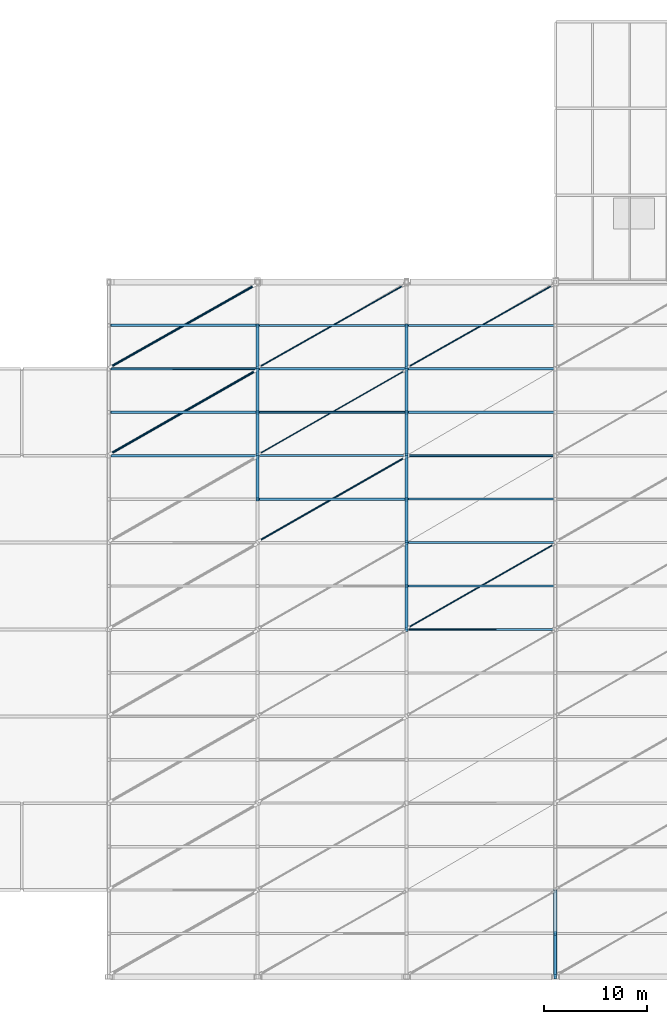
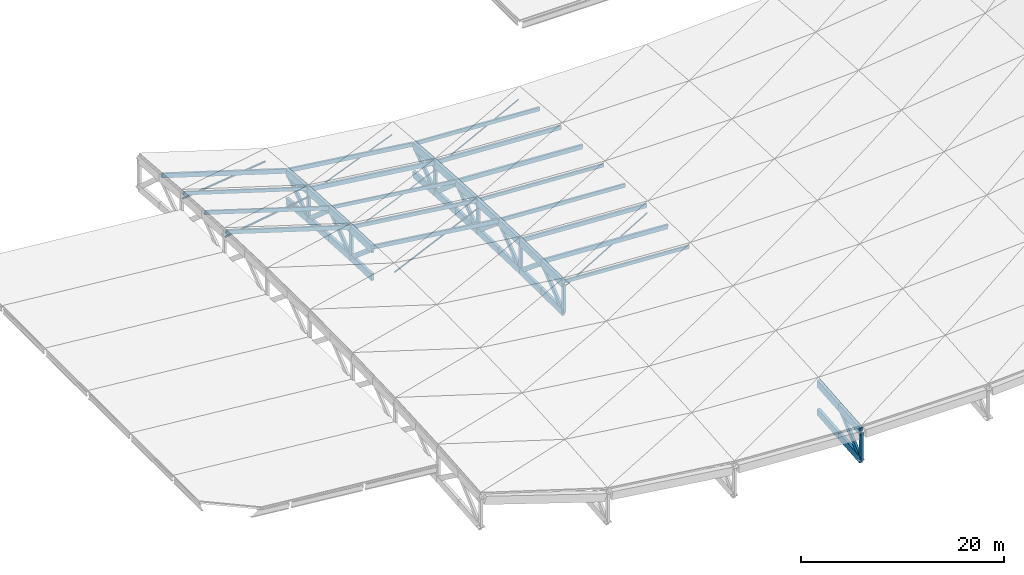
# One storey, part 4 of 22: 43 members, 26 beams.
"""IFC4 building model written with IfcOpenShell, lengths in metres."""

import ifcopenshell
import ifcopenshell.guid

model = None  # the IFC model being written
_history = None  # IfcOwnerHistory: only IFC2X3 demands one
_inside = {}  # id of a spatial element -> (the spatial element, [elements in it])
_under = {}  # id of a project, library or spatial element -> (it, [spatial elements below it])
_declared = {}  # id of a project -> (the project, [libraries it declares])
_typed = {}  # id of a type object -> (the type object, [elements of that type])
_made_of = {}  # id of a material, layer set ... -> (it, [elements and type objects made of it])


def new_model(schema):
    """Start an empty IFC model of exactly this schema.

    Asked for "IFC4X3", IfcOpenShell would pick the latest addendum, in which some entities
    have other attributes; the version numbers below select the first issue.
    IFC2X3 requires an IfcOwnerHistory on every rooted entity: one is made here for all.
    """
    global model, _history
    if schema == "IFC4X3":
        model = ifcopenshell.file(schema_version=(4, 3, 0, 0))
    else:
        model = ifcopenshell.file(schema=schema)
    _inside.clear()
    _under.clear()
    _declared.clear()
    _typed.clear()
    _made_of.clear()
    _history = None
    if model.schema == "IFC2X3":
        org = make("IfcOrganization", Name="unknown")
        user = make(
            "IfcPersonAndOrganization",
            ThePerson=make("IfcPerson", FamilyName="unknown"),
            TheOrganization=org,
        )
        app = make(
            "IfcApplication",
            ApplicationDeveloper=org,
            Version="unknown",
            ApplicationFullName="unknown",
            ApplicationIdentifier="unknown",
        )
        _history = make(
            "IfcOwnerHistory",
            OwningUser=user,
            OwningApplication=app,
            ChangeAction="ADDED",
            CreationDate=0,
        )
    return model


def make(cls, **values):
    """One entity of the class cls with the attributes given. An attribute that is None is left unset."""
    return model.create_entity(
        cls, **{name: value for name, value in values.items() if value is not None}
    )


def rooted(cls, **values):
    """An entity with a GlobalId (a new one), such as an element, a storey or a relation."""
    return make(cls, GlobalId=ifcopenshell.guid.new(), OwnerHistory=_history, **values)


def si_unit(unit_type, name, prefix=None):
    """IfcSIUnit, for example si_unit("LENGTHUNIT", "METRE", prefix="MILLI")."""
    return make("IfcSIUnit", UnitType=unit_type, Prefix=prefix, Name=name)


def assignment(units):
    """IfcUnitAssignment: the units of a project."""
    return None if units is None else make("IfcUnitAssignment", Units=units)


def point(xyz):
    """IfcCartesianPoint."""
    return None if xyz is None else make("IfcCartesianPoint", Coordinates=xyz)


def direction(xyz):
    """IfcDirection."""
    return None if xyz is None else make("IfcDirection", DirectionRatios=xyz)


def frame(location, z_axis=None, x_axis=None):
    """IfcAxis2Placement3D, a coordinate frame: its origin and axes. An axis left out is left unset."""
    return make(
        "IfcAxis2Placement3D",
        Location=point(location),
        Axis=direction(z_axis),
        RefDirection=direction(x_axis),
    )


def frame_2d(location, x_axis=None):
    """IfcAxis2Placement2D, a coordinate frame in the plane: its origin and x axis."""
    return make(
        "IfcAxis2Placement2D", Location=point(location), RefDirection=direction(x_axis)
    )


def origin():
    """The frame at (0, 0, 0) with its axes left unset."""
    return frame((0.0, 0.0, 0.0))


def origin_2d():
    """The frame at (0, 0) in the plane with its x axis left unset."""
    return frame_2d((0.0, 0.0))


def place(relative_to, where):
    """IfcLocalPlacement: puts the frame where relative to a parent placement (None: the world)."""
    return make(
        "IfcLocalPlacement", PlacementRelTo=relative_to, RelativePlacement=where
    )


def context(
    kind, dimensions, precision=None, world=None, true_north=None, identifier=None
):
    """IfcGeometricRepresentationContext, for example the 3D "Model" context."""
    return make(
        "IfcGeometricRepresentationContext",
        ContextIdentifier=identifier,
        ContextType=kind,
        CoordinateSpaceDimension=dimensions,
        Precision=precision,
        WorldCoordinateSystem=world,
        TrueNorth=true_north,
    )


def subcontext(parent, identifier, kind, view, scale=None):
    """IfcGeometricRepresentationSubContext, for example "Body" below "Model"."""
    return make(
        "IfcGeometricRepresentationSubContext",
        ContextIdentifier=identifier,
        ContextType=kind,
        ParentContext=parent,
        TargetScale=scale,
        TargetView=view,
    )


def project(units=None, contexts=None):
    """IfcProject with its units and contexts."""
    return rooted(
        "IfcProject",
        Name="project",
        RepresentationContexts=contexts,
        UnitsInContext=assignment(units),
    )


def spatial(cls, under=None, at=None, **own):
    """A site, building, storey or space (cls), placed at a placement, below another one or the project."""
    s = rooted(cls, ObjectPlacement=at, **own)
    if under is not None:
        _under.setdefault(under.id(), (under, []))[1].append(s)
    return s


def profile(cls, at=None, kind="AREA", **sizes):
    """A parametric profile (cls). Its sizes go by their IFC names, for example OverallWidth=200.0."""
    return make(cls, ProfileType=kind, Position=at, **sizes)


def rectangle(**sizes):
    """IfcRectangleProfileDef."""
    return profile("IfcRectangleProfileDef", **sizes)


def hollow_circle(**sizes):
    """IfcCircleHollowProfileDef."""
    return profile("IfcCircleHollowProfileDef", **sizes)


def extrude(swept, where, along, depth):
    """IfcExtrudedAreaSolid: the profile swept, set in the frame where, extruded along a direction by depth."""
    return make(
        "IfcExtrudedAreaSolid",
        SweptArea=swept,
        Position=where,
        ExtrudedDirection=direction(along),
        Depth=depth,
    )


def shape(context_of_items, identifier, shape_type, items):
    """IfcShapeRepresentation: the items that make up one representation, for example the "Body"."""
    return make(
        "IfcShapeRepresentation",
        ContextOfItems=context_of_items,
        RepresentationIdentifier=identifier,
        RepresentationType=shape_type,
        Items=items,
    )


def material(Name=None, Category=None):
    """IfcMaterial."""
    return make("IfcMaterial", Name=Name, Category=Category)


def material_profile(
    of_material, cross_section, Name=None, Category=None, Priority=None
):
    """IfcMaterialProfile: a cross section and its material."""
    return make(
        "IfcMaterialProfile",
        Name=Name,
        Material=of_material,
        Profile=cross_section,
        Priority=Priority,
        Category=Category,
    )


def profile_set(profiles, Name=None, composite=None):
    """IfcMaterialProfileSet."""
    return make(
        "IfcMaterialProfileSet",
        Name=Name,
        MaterialProfiles=profiles,
        CompositeProfile=composite,
    )


def made_of(thing, what):
    """Note that an element or type object is made of a material, layer set ...; save() writes the relation."""
    if what is not None:
        _made_of.setdefault(what.id(), (what, []))[1].append(thing)
    return thing


def type_object(cls, material=None, **own):
    """A type object (cls), such as IfcWallType, which elements share."""
    return made_of(rooted(cls, **own), material)


def element(
    cls,
    number,
    at=None,
    inside=None,
    cuts=None,
    type_object=None,
    material=None,
    context=None,
    identifier="Body",
    shape_type=None,
    held_by="IfcProductDefinitionShape",
    body=None,
    shapes=None,
    **own,
):
    """One element of the class cls, such as IfcWall. Its Tag is "e" and its number.

    at: its placement. inside: the storey or other place that contains it. cuts: it is an
    opening in that element (IfcRelVoidsElement). A single representation is given by context,
    identifier, shape_type and body (its items); several are given by shapes. held_by: the class
    of the entity that holds the representations. save() writes the other relations.
    """
    e = rooted(cls, Tag="e%d" % number, ObjectPlacement=at, **own)
    if body is not None:
        shapes = [shape(context, identifier, shape_type, body)]
    if shapes is not None:
        e.Representation = make(held_by, Representations=shapes)
    if inside is not None:
        _inside.setdefault(inside.id(), (inside, []))[1].append(e)
    if cuts is not None:
        rooted(
            "IfcRelVoidsElement", RelatingBuildingElement=cuts, RelatedOpeningElement=e
        )
    if type_object is not None:
        _typed.setdefault(type_object.id(), (type_object, []))[1].append(e)
    return made_of(e, material)


def aggregate(whole, parts):
    """IfcRelAggregates: a whole, such as a stair, and the parts it consists of."""
    return rooted("IfcRelAggregates", RelatingObject=whole, RelatedObjects=parts)


def save(model, path):
    """Write the relations noted so far, then the file.

    IfcRelAggregates (storeys below a building ...), IfcRelContainedInSpatialStructure (elements
    in a storey), IfcRelDefinesByType, IfcRelAssociatesMaterial and IfcRelDeclares: one each for
    every whole, place, type object, material and project.
    """
    for whole, parts in _under.values():
        aggregate(whole, parts)
    for where, things in _inside.values():
        rooted(
            "IfcRelContainedInSpatialStructure",
            RelatedElements=things,
            RelatingStructure=where,
        )
    for kind, things in _typed.values():
        rooted("IfcRelDefinesByType", RelatedObjects=things, RelatingType=kind)
    for what, things in _made_of.values():
        rooted("IfcRelAssociatesMaterial", RelatedObjects=things, RelatingMaterial=what)
    for by, libraries in _declared.values():
        rooted("IfcRelDeclares", RelatingContext=by, RelatedDefinitions=libraries)
    model.write(path)


model = new_model("IFC4")

# Units and contexts
model_context = context("Model", 3, precision=1e-05, world=origin(), true_north=direction((0.0, 1.0)))
body_context = subcontext(model_context, "Body", "Model", "MODEL_VIEW")
ifc_project = project(units=[si_unit("LENGTHUNIT", "METRE"), si_unit("AREAUNIT", "SQUARE_METRE"), si_unit("VOLUMEUNIT", "CUBIC_METRE"), si_unit("PLANEANGLEUNIT", "RADIAN"), si_unit("MASSUNIT", "GRAM", prefix="KILO"), si_unit("THERMODYNAMICTEMPERATUREUNIT", "KELVIN")], contexts=[model_context])

# Site, building, storey
site_placement = place(None, origin())
site = spatial("IfcSite", under=ifc_project, at=site_placement, CompositionType="ELEMENT")
building_placement = place(site_placement, origin())
building = spatial("IfcBuilding", under=site, at=building_placement, Name="Nduvali Passage Aquatics Centre", CompositionType="ELEMENT")
storey_placement = place(building_placement, frame((0.0, 0.0, 21.60009765625)))
storey = spatial("IfcBuildingStorey", under=building, at=storey_placement, Name="RF", CompositionType="ELEMENT", Elevation=21.60009765625)

# Beams
ifc_material_1 = material(Name="Glulam GL32c", Category="wood")
ifc_material_profile_1 = material_profile(ifc_material_1, rectangle(XDim=0.320068359375, YDim=0.800048828125, at=origin_2d()), Name="GL32c 320x800")
ifc_profile_set_1 = profile_set([ifc_material_profile_1], Name="Glulam GL32c")
beam_type_1 = type_object("IfcBeamType", Name="STR-BM-GL32-BOT", PredefinedType="BEAM", material=ifc_profile_set_1)
beam_1_placement = place(storey_placement, frame((39.60009765625, 71.39990234375, -7.972900390625), z_axis=(0.0, 0.999363742023, -0.035666666915), x_axis=(-1.0, 0.0, 0.0)))
element("IfcBeam", 1, at=beam_1_placement, inside=storey, type_object=beam_type_1, Name="RF Pool Hall Roof Truss Bottom Chord R2 BC1-1733", PredefinedType="BEAM", context=body_context, shape_type="SweptSolid", body=[
    extrude(rectangle(XDim=0.320068359375, YDim=0.800048828125, at=origin_2d()), origin(), (0.0, 0.0, 1.0), 4.202880859375),
])
for number, where, z_axis, x_axis, name in (
    (2, (39.60009765625, 75.60009765625, -8.122802734375), (0.0, 0.998233110761, -0.059419328339), (-1.0, 0.0, 0.0), "RF Pool Hall Roof Truss Bottom Chord R2 BC1-1735"),
    (3, (39.60009765625, 79.800048828125, -8.372802734375), (0.0, 0.998233110761, -0.059419328339), (-1.0, 0.0, 0.0), "RF Pool Hall Roof Truss Bottom Chord R2 BC1-1737"),
):
    element("IfcBeam", number, at=place(storey_placement, frame(where, z_axis=z_axis, x_axis=x_axis)), inside=storey, type_object=beam_type_1, Name=name, PredefinedType="BEAM", context=body_context, shape_type="SweptSolid", body=[
        extrude(rectangle(XDim=0.320068359375, YDim=0.800048828125, at=origin_2d()), origin(), (0.0, 0.0, 1.0), 4.207275390625),
    ])
beam_2_placement = place(storey_placement, frame((39.60009765625, 84.0, -8.622802734375), z_axis=(0.0, 0.996543760423, -0.083069450238), x_axis=(-1.0, 0.0, 0.0)))
element("IfcBeam", 4, at=beam_2_placement, inside=storey, type_object=beam_type_1, Name="RF Pool Hall Roof Truss Bottom Chord R2 BC1-1739", PredefinedType="BEAM", context=body_context, shape_type="SweptSolid", body=[
    extrude(rectangle(XDim=0.320068359375, YDim=0.800048828125, at=origin_2d()), origin(), (0.0, 0.0, 1.0), 4.214599609375),
])
for number, where, z_axis, x_axis, name in (
    (5, (54.0, 58.800048828125, -9.55859375), (0.0, 0.999929696627, -0.011857563106), (-1.0, 0.0, 0.0), "RF Pool Hall Roof Truss Bottom Chord R3 BC1-1759"),
    (6, (54.0, 63.0, -9.6083984375), (0.0, 0.999929005763, -0.011915680183), (-1.0, 0.0, 0.0), "RF Pool Hall Roof Truss Bottom Chord R3 BC1-1761"),
):
    element("IfcBeam", number, at=place(storey_placement, frame(where, z_axis=z_axis, x_axis=x_axis)), inside=storey, type_object=beam_type_1, Name=name, PredefinedType="BEAM", context=body_context, shape_type="SweptSolid", body=[
        extrude(rectangle(XDim=0.320068359375, YDim=0.800048828125, at=origin_2d()), origin(), (0.0, 0.0, 1.0), 4.2001953125),
    ])
beam_3_placement = place(storey_placement, frame((54.0, 67.199951171875, -9.658447265625), z_axis=(0.0, 0.999361595677, -0.035726755876), x_axis=(-1.0, 0.0, 0.0)))
element("IfcBeam", 7, at=beam_3_placement, inside=storey, type_object=beam_type_1, Name="RF Pool Hall Roof Truss Bottom Chord R3 BC1-1763", PredefinedType="BEAM", context=body_context, shape_type="SweptSolid", body=[
    extrude(rectangle(XDim=0.320068359375, YDim=0.800048828125, at=origin_2d()), origin(), (0.0, 0.0, 1.0), 4.20263671875),
])
beam_4_placement = place(storey_placement, frame((54.0, 71.39990234375, -9.80859375), z_axis=(0.0, 0.999363742023, -0.035666666915), x_axis=(-1.0, 0.0, 0.0)))
element("IfcBeam", 8, at=beam_4_placement, inside=storey, type_object=beam_type_1, Name="RF Pool Hall Roof Truss Bottom Chord R3 BC1-1765", PredefinedType="BEAM", context=body_context, shape_type="SweptSolid", body=[
    extrude(rectangle(XDim=0.320068359375, YDim=0.800048828125, at=origin_2d()), origin(), (0.0, 0.0, 1.0), 4.202880859375),
])
for number, where, z_axis, x_axis, name in (
    (9, (54.0, 75.60009765625, -9.95849609375), (0.0, 0.998233110761, -0.059419328339), (-1.0, 0.0, 0.0), "RF Pool Hall Roof Truss Bottom Chord R3 BC1-1767"),
    (10, (54.0, 79.800048828125, -10.20849609375), (0.0, 0.998233110761, -0.059419328339), (-1.0, 0.0, 0.0), "RF Pool Hall Roof Truss Bottom Chord R3 BC1-1769"),
):
    element("IfcBeam", number, at=place(storey_placement, frame(where, z_axis=z_axis, x_axis=x_axis)), inside=storey, type_object=beam_type_1, Name=name, PredefinedType="BEAM", context=body_context, shape_type="SweptSolid", body=[
        extrude(rectangle(XDim=0.320068359375, YDim=0.800048828125, at=origin_2d()), origin(), (0.0, 0.0, 1.0), 4.207275390625),
    ])
for number, where, z_axis, x_axis, name in (
    (11, (54.0, 84.0, -10.45849609375), (0.0, 0.996543760423, -0.083069450238), (-1.0, 0.0, 0.0), "RF Pool Hall Roof Truss Bottom Chord R3 BC1-1771"),
    (12, (68.39990234375, 25.199951171875, -11.94970703125), (0.0, 0.996543760423, 0.083069450238), (-1.0, 0.0, 0.0), "RF Pool Hall Roof Truss Bottom Chord R4 BC1-1775"),
):
    element("IfcBeam", number, at=place(storey_placement, frame(where, z_axis=z_axis, x_axis=x_axis)), inside=storey, type_object=beam_type_1, Name=name, PredefinedType="BEAM", context=body_context, shape_type="SweptSolid", body=[
        extrude(rectangle(XDim=0.320068359375, YDim=0.800048828125, at=origin_2d()), origin(), (0.0, 0.0, 1.0), 4.214599609375),
    ])
beam_5_placement = place(storey_placement, frame((68.39990234375, 29.39990234375, -11.599609375), z_axis=(0.0, 0.996544160125, 0.083064655058), x_axis=(-1.0, 0.0, 0.0)))
element("IfcBeam", 13, at=beam_5_placement, inside=storey, type_object=beam_type_1, Name="RF Pool Hall Roof Truss Bottom Chord R4 BC1-1777", PredefinedType="BEAM", context=body_context, shape_type="SweptSolid", body=[
    extrude(rectangle(XDim=0.320068359375, YDim=0.800048828125, at=origin_2d()), origin(), (0.0, 0.0, 1.0), 4.21484375),
])
ifc_material_profile_2 = material_profile(ifc_material_1, rectangle(XDim=0.320068359375, YDim=0.89990234375, at=origin_2d()), Name="GL32c 320x900")
ifc_profile_set_2 = profile_set([ifc_material_profile_2], Name="Glulam GL32c")
beam_type_2 = type_object("IfcBeamType", Name="STR-BM-GL32-TOP", PredefinedType="BEAM", material=ifc_profile_set_2)
beam_6_placement = place(storey_placement, frame((39.60009765625, 71.39990234375, -4.57275390625), z_axis=(0.0, 0.99936166982, -0.035724681873), x_axis=(-1.0, 0.0, 0.0)))
element("IfcBeam", 14, at=beam_6_placement, inside=storey, type_object=beam_type_2, Name="RF Pool Hall Roof Truss Top Chord R2 TC1-1732", PredefinedType="BEAM", context=body_context, shape_type="SweptSolid", body=[
    extrude(rectangle(XDim=0.320068359375, YDim=0.89990234375, at=origin_2d()), origin(), (0.0, 0.0, 1.0), 4.202880859375),
])
for number, where, z_axis, x_axis, name in (
    (15, (39.60009765625, 75.60009765625, -4.722900390625), (0.0, 0.998233110761, -0.059419328339), (-1.0, 0.0, 0.0), "RF Pool Hall Roof Truss Top Chord R2 TC1-1734"),
    (16, (39.60009765625, 79.800048828125, -4.972900390625), (0.0, 0.998233110761, -0.059419328339), (-1.0, 0.0, 0.0), "RF Pool Hall Roof Truss Top Chord R2 TC1-1736"),
):
    element("IfcBeam", number, at=place(storey_placement, frame(where, z_axis=z_axis, x_axis=x_axis)), inside=storey, type_object=beam_type_2, Name=name, PredefinedType="BEAM", context=body_context, shape_type="SweptSolid", body=[
        extrude(rectangle(XDim=0.320068359375, YDim=0.89990234375, at=origin_2d()), origin(), (0.0, 0.0, 1.0), 4.207275390625),
    ])
beam_7_placement = place(storey_placement, frame((39.60009765625, 84.0, -5.222900390625), z_axis=(0.0, 0.996548554241, -0.083011921073), x_axis=(-1.0, 0.0, 0.0)))
element("IfcBeam", 17, at=beam_7_placement, inside=storey, type_object=beam_type_2, Name="RF Pool Hall Roof Truss Top Chord R2 TC1-1738", PredefinedType="BEAM", context=body_context, shape_type="SweptSolid", body=[
    extrude(rectangle(XDim=0.320068359375, YDim=0.89990234375, at=origin_2d()), origin(), (0.0, 0.0, 1.0), 4.214599609375),
])
for number, where, z_axis, x_axis, name in (
    (18, (54.0, 58.800048828125, -6.158447265625), (0.0, 0.999929005763, -0.011915680183), (-1.0, 0.0, 0.0), "RF Pool Hall Roof Truss Top Chord R3 TC1-1758"),
    (19, (54.0, 63.0, -6.20849609375), (0.0, 0.999929005763, -0.011915680183), (-1.0, 0.0, 0.0), "RF Pool Hall Roof Truss Top Chord R3 TC1-1760"),
):
    element("IfcBeam", number, at=place(storey_placement, frame(where, z_axis=z_axis, x_axis=x_axis)), inside=storey, type_object=beam_type_2, Name=name, PredefinedType="BEAM", context=body_context, shape_type="SweptSolid", body=[
        extrude(rectangle(XDim=0.320068359375, YDim=0.89990234375, at=origin_2d()), origin(), (0.0, 0.0, 1.0), 4.2001953125),
    ])
beam_8_placement = place(storey_placement, frame((54.0, 67.199951171875, -6.258544921875), z_axis=(0.0, 0.999363668121, -0.035668737559), x_axis=(-1.0, 0.0, 0.0)))
element("IfcBeam", 20, at=beam_8_placement, inside=storey, type_object=beam_type_2, Name="RF Pool Hall Roof Truss Top Chord R3 TC1-1762", PredefinedType="BEAM", context=body_context, shape_type="SweptSolid", body=[
    extrude(rectangle(XDim=0.320068359375, YDim=0.89990234375, at=origin_2d()), origin(), (0.0, 0.0, 1.0), 4.20263671875),
])
beam_9_placement = place(storey_placement, frame((54.0, 71.39990234375, -6.408447265625), z_axis=(0.0, 0.99936166982, -0.035724681873), x_axis=(-1.0, 0.0, 0.0)))
element("IfcBeam", 21, at=beam_9_placement, inside=storey, type_object=beam_type_2, Name="RF Pool Hall Roof Truss Top Chord R3 TC1-1764", PredefinedType="BEAM", context=body_context, shape_type="SweptSolid", body=[
    extrude(rectangle(XDim=0.320068359375, YDim=0.89990234375, at=origin_2d()), origin(), (0.0, 0.0, 1.0), 4.202880859375),
])
for number, where, z_axis, x_axis, name in (
    (22, (54.0, 75.60009765625, -6.55859375), (0.0, 0.998233110761, -0.059419328339), (-1.0, 0.0, 0.0), "RF Pool Hall Roof Truss Top Chord R3 TC1-1766"),
    (23, (54.0, 79.800048828125, -6.80859375), (0.0, 0.998233110761, -0.059419328339), (-1.0, 0.0, 0.0), "RF Pool Hall Roof Truss Top Chord R3 TC1-1768"),
):
    element("IfcBeam", number, at=place(storey_placement, frame(where, z_axis=z_axis, x_axis=x_axis)), inside=storey, type_object=beam_type_2, Name=name, PredefinedType="BEAM", context=body_context, shape_type="SweptSolid", body=[
        extrude(rectangle(XDim=0.320068359375, YDim=0.89990234375, at=origin_2d()), origin(), (0.0, 0.0, 1.0), 4.207275390625),
    ])
for number, where, z_axis, x_axis, name in (
    (24, (54.0, 84.0, -7.05859375), (0.0, 0.996548554241, -0.083011921073), (-1.0, 0.0, 0.0), "RF Pool Hall Roof Truss Top Chord R3 TC1-1770"),
    (25, (68.39990234375, 25.199951171875, -8.549560546875), (0.0, 0.996548554241, 0.083011921073), (-1.0, 0.0, 0.0), "RF Pool Hall Roof Truss Top Chord R4 TC1-1774"),
):
    element("IfcBeam", number, at=place(storey_placement, frame(where, z_axis=z_axis, x_axis=x_axis)), inside=storey, type_object=beam_type_2, Name=name, PredefinedType="BEAM", context=body_context, shape_type="SweptSolid", body=[
        extrude(rectangle(XDim=0.320068359375, YDim=0.89990234375, at=origin_2d()), origin(), (0.0, 0.0, 1.0), 4.214599609375),
    ])
beam_10_placement = place(storey_placement, frame((68.39990234375, 29.39990234375, -8.19970703125), z_axis=(0.0, 0.996544160125, 0.083064655058), x_axis=(-1.0, 0.0, 0.0)))
element("IfcBeam", 26, at=beam_10_placement, inside=storey, type_object=beam_type_2, Name="RF Pool Hall Roof Truss Top Chord R4 TC1-1776", PredefinedType="BEAM", context=body_context, shape_type="SweptSolid", body=[
    extrude(rectangle(XDim=0.320068359375, YDim=0.89990234375, at=origin_2d()), origin(), (0.0, 0.0, 1.0), 4.21484375),
])

# Members
ifc_material_2 = material(Name="Steel S355", Category="steel")
ifc_material_profile_3 = material_profile(ifc_material_2, hollow_circle(Radius=0.05712890625, WallThickness=0.00634765625, at=origin_2d()), Name="CHS 114.3x6.3")
ifc_profile_set_3 = profile_set([ifc_material_profile_3], Name="Steel S355")
member_type_1 = type_object("IfcMemberType", Name="STR-MEM-CHS114", PredefinedType="BRACE", material=ifc_profile_set_3)
member_1_placement = place(storey_placement, frame((39.800048828125, 75.800048828125, -5.30078125), z_axis=(0.859275049652, 0.491014314087, -0.143357359096), x_axis=(-0.496138938357, 0.868243142124, 0.0)))
element("IfcMember", 27, at=member_1_placement, inside=storey, type_object=member_type_1, Name="Pool Hall Roof Wind Brace B2-P7A", PredefinedType="BRACE", context=body_context, shape_type="SweptSolid", body=[
    extrude(hollow_circle(Radius=0.05712890625, WallThickness=0.00634765625, at=origin_2d()), origin(), (0.0, 0.0, 1.0), 16.292724609375),
])
ifc_material_profile_4 = material_profile(ifc_material_2, hollow_circle(Radius=0.06982421875, WallThickness=0.00634765625, at=origin_2d()), Name="CHS 139.7x6.3")
ifc_profile_set_4 = profile_set([ifc_material_profile_4], Name="Steel S355")
member_type_2 = type_object("IfcMemberType", Name="STR-MEM-CHS139", PredefinedType="BRACE", material=ifc_profile_set_4)
member_2_placement = place(storey_placement, frame((39.800048828125, 84.199951171875, -5.80078125), z_axis=(0.859629659289, 0.486183987631, -0.157041329089), x_axis=(-0.492292335352, 0.870429926274, 0.0)))
element("IfcMember", 28, at=member_2_placement, inside=storey, type_object=member_type_2, Name="Pool Hall Roof Wind Brace B2-P8A", PredefinedType="BRACE", context=body_context, shape_type="SweptSolid", body=[
    extrude(hollow_circle(Radius=0.06982421875, WallThickness=0.00634765625, at=origin_2d()), origin(), (0.0, 0.0, 1.0), 16.146240234375),
])
member_3_placement = place(storey_placement, frame((54.199951171875, 59.0, -6.736572265625), z_axis=(0.86692029263, 0.49538302436, -0.055180299039), x_axis=(-0.496138938357, 0.868243142124, 0.0)))
element("IfcMember", 29, at=member_3_placement, inside=storey, type_object=member_type_2, Name="Pool Hall Roof Wind Brace B3-P5A", PredefinedType="BRACE", context=body_context, shape_type="SweptSolid", body=[
    extrude(hollow_circle(Radius=0.06982421875, WallThickness=0.00634765625, at=origin_2d()), origin(), (0.0, 0.0, 1.0), 16.149169921875),
])
member_4_placement = place(storey_placement, frame((54.199951171875, 84.199951171875, -7.636474609375), z_axis=(0.86665242329, 0.490147257286, -0.09310877177), x_axis=(-0.492285774804, 0.870433636715, 0.0)))
element("IfcMember", 30, at=member_4_placement, inside=storey, type_object=member_type_2, Name="Pool Hall Roof Wind Brace B3-P8A", PredefinedType="BRACE", context=body_context, shape_type="SweptSolid", body=[
    extrude(hollow_circle(Radius=0.06982421875, WallThickness=0.00634765625, at=origin_2d()), origin(), (0.0, 0.0, 1.0), 16.015869140625),
])
ifc_material_profile_5 = material_profile(ifc_material_2, hollow_circle(Radius=0.084228515625, WallThickness=0.00634765625, at=origin_2d()), Name="CHS 168.3x6.3")
ifc_profile_set_5 = profile_set([ifc_material_profile_5], Name="Steel S355")
member_type_3 = type_object("IfcMemberType", Name="STR-MEM-CHS168", PredefinedType="BRACE", material=ifc_profile_set_5)
member_5_placement = place(storey_placement, frame((39.800048828125, 67.39990234375, -5.000732421875), z_axis=(0.860725758333, 0.491843290476, -0.131306308138), x_axis=(-0.496138938357, 0.868243142124, 0.0)))
element("IfcMember", 31, at=member_5_placement, inside=storey, type_object=member_type_3, Name="Pool Hall Roof Wind Brace B2-P6A", PredefinedType="BRACE", context=body_context, shape_type="SweptSolid", body=[
    extrude(hollow_circle(Radius=0.084228515625, WallThickness=0.00634765625, at=origin_2d()), origin(), (0.0, 0.0, 1.0), 16.265380859375),
])
ifc_material_profile_6 = material_profile(ifc_material_2, hollow_circle(Radius=0.109619140625, WallThickness=0.008056640625, at=origin_2d()), Name="CHS 219.1x8.0")
ifc_profile_set_6 = profile_set([ifc_material_profile_6], Name="Steel S355")
member_type_4 = type_object("IfcMemberType", Name="STR-MEM-CHS219", PredefinedType="BRACE", material=ifc_profile_set_6)
member_6_placement = place(storey_placement, frame((25.39990234375, 75.800048828125, -0.822021484375), z_axis=(0.829596967061, 0.474055409749, -0.295026000092), x_axis=(-0.496138938357, 0.868243142124, 0.0)))
element("IfcMember", 32, at=member_6_placement, inside=storey, type_object=member_type_4, Name="Pool Hall Roof Wind Brace B1-P7A", PredefinedType="BRACE", context=body_context, shape_type="SweptSolid", body=[
    extrude(hollow_circle(Radius=0.109619140625, WallThickness=0.008056640625, at=origin_2d()), origin(), (0.0, 0.0, 1.0), 16.875732421875),
])
member_7_placement = place(storey_placement, frame((25.39990234375, 84.199951171875, -1.322021484375), z_axis=(0.827870180248, 0.468213423666, -0.308880485875), x_axis=(-0.492285774804, 0.870433636715, 0.0)))
element("IfcMember", 33, at=member_7_placement, inside=storey, type_object=member_type_4, Name="Pool Hall Roof Wind Brace B1-P8A", PredefinedType="BRACE", context=body_context, shape_type="SweptSolid", body=[
    extrude(hollow_circle(Radius=0.109619140625, WallThickness=0.008056640625, at=origin_2d()), origin(), (0.0, 0.0, 1.0), 16.76611328125),
])
ifc_material_3 = material(Name="Glulam GL28h", Category="wood")
ifc_material_profile_7 = material_profile(ifc_material_3, rectangle(XDim=0.260009765625, YDim=0.52001953125, at=origin_2d()), Name="GL28h 260x520")
ifc_profile_set_7 = profile_set([ifc_material_profile_7], Name="Glulam GL28h")
member_type_5 = type_object("IfcMemberType", Name="STR-MEM-GL-DIAG", PredefinedType="CHORD", material=ifc_profile_set_7)
member_8_placement = place(storey_placement, frame((39.60009765625, 71.39990234375, -4.57275390625), z_axis=(0.0, 0.763741468965, -0.64552224484), x_axis=(-1.0, 0.0, 0.0)))
element("IfcMember", 34, at=member_8_placement, inside=storey, type_object=member_type_5, Name="Pool Hall Roof Truss Web Diagonal R2-12", PredefinedType="CHORD", context=body_context, shape_type="SweptSolid", body=[
    extrude(rectangle(XDim=0.260009765625, YDim=0.52001953125, at=origin_2d()), origin(), (0.0, 0.0, 1.0), 5.49951171875),
])
member_9_placement = place(storey_placement, frame((39.60009765625, 75.60009765625, -8.122802734375), z_axis=(0.0, 0.800005580426, 0.599992559359), x_axis=(-1.0, 0.0, 0.0)))
element("IfcMember", 35, at=member_9_placement, inside=storey, type_object=member_type_5, Name="Pool Hall Roof Truss Web Diagonal R2-13", PredefinedType="CHORD", context=body_context, shape_type="SweptSolid", body=[
    extrude(rectangle(XDim=0.260009765625, YDim=0.52001953125, at=origin_2d()), origin(), (0.0, 0.0, 1.0), 5.25),
])
member_10_placement = place(storey_placement, frame((39.60009765625, 79.800048828125, -4.972900390625), z_axis=(0.0, 0.754803851974, -0.655950566007), x_axis=(-1.0, 0.0, 0.0)))
element("IfcMember", 36, at=member_10_placement, inside=storey, type_object=member_type_5, Name="Pool Hall Roof Truss Web Diagonal R2-14", PredefinedType="CHORD", context=body_context, shape_type="SweptSolid", body=[
    extrude(rectangle(XDim=0.260009765625, YDim=0.52001953125, at=origin_2d()), origin(), (0.0, 0.0, 1.0), 5.564208984375),
])
member_11_placement = place(storey_placement, frame((39.60009765625, 84.0, -8.622802734375), z_axis=(0.0, 0.809144712888, 0.587609422665), x_axis=(-1.0, 0.0, 0.0)))
element("IfcMember", 37, at=member_11_placement, inside=storey, type_object=member_type_5, Name="Pool Hall Roof Truss Web Diagonal R2-15", PredefinedType="CHORD", context=body_context, shape_type="SweptSolid", body=[
    extrude(rectangle(XDim=0.260009765625, YDim=0.52001953125, at=origin_2d()), origin(), (0.0, 0.0, 1.0), 5.190673828125),
])
member_12_placement = place(storey_placement, frame((54.0, 58.800048828125, -9.55859375), z_axis=(0.0, 0.781763575378, 0.623574945145), x_axis=(-1.0, 0.0, 0.0)))
element("IfcMember", 38, at=member_12_placement, inside=storey, type_object=member_type_5, Name="Pool Hall Roof Truss Web Diagonal R3-9", PredefinedType="CHORD", context=body_context, shape_type="SweptSolid", body=[
    extrude(rectangle(XDim=0.260009765625, YDim=0.52001953125, at=origin_2d()), origin(), (0.0, 0.0, 1.0), 5.372314453125),
])
member_13_placement = place(storey_placement, frame((54.0, 63.0, -6.20849609375), z_axis=(0.0, 0.772727041362, -0.63473846547), x_axis=(-1.0, 0.0, 0.0)))
element("IfcMember", 39, at=member_13_placement, inside=storey, type_object=member_type_5, Name="Pool Hall Roof Truss Web Diagonal R3-10", PredefinedType="CHORD", context=body_context, shape_type="SweptSolid", body=[
    extrude(rectangle(XDim=0.260009765625, YDim=0.52001953125, at=origin_2d()), origin(), (0.0, 0.0, 1.0), 5.435302734375),
])
member_14_placement = place(storey_placement, frame((54.0, 67.199951171875, -9.658447265625), z_axis=(0.0, 0.790867256885, 0.611987730259), x_axis=(-1.0, 0.0, 0.0)))
element("IfcMember", 40, at=member_14_placement, inside=storey, type_object=member_type_5, Name="Pool Hall Roof Truss Web Diagonal R3-11", PredefinedType="CHORD", context=body_context, shape_type="SweptSolid", body=[
    extrude(rectangle(XDim=0.260009765625, YDim=0.52001953125, at=origin_2d()), origin(), (0.0, 0.0, 1.0), 5.310546875),
])
member_15_placement = place(storey_placement, frame((54.0, 71.39990234375, -6.408447265625), z_axis=(0.0, 0.763741468965, -0.64552224484), x_axis=(-1.0, 0.0, 0.0)))
element("IfcMember", 41, at=member_15_placement, inside=storey, type_object=member_type_5, Name="Pool Hall Roof Truss Web Diagonal R3-12", PredefinedType="CHORD", context=body_context, shape_type="SweptSolid", body=[
    extrude(rectangle(XDim=0.260009765625, YDim=0.52001953125, at=origin_2d()), origin(), (0.0, 0.0, 1.0), 5.49951171875),
])
member_16_placement = place(storey_placement, frame((54.0, 75.60009765625, -9.95849609375), z_axis=(0.0, 0.800005580426, 0.599992559359), x_axis=(-1.0, 0.0, 0.0)))
element("IfcMember", 42, at=member_16_placement, inside=storey, type_object=member_type_5, Name="Pool Hall Roof Truss Web Diagonal R3-13", PredefinedType="CHORD", context=body_context, shape_type="SweptSolid", body=[
    extrude(rectangle(XDim=0.260009765625, YDim=0.52001953125, at=origin_2d()), origin(), (0.0, 0.0, 1.0), 5.25),
])
member_17_placement = place(storey_placement, frame((54.0, 79.800048828125, -6.80859375), z_axis=(0.0, 0.754803851974, -0.655950566007), x_axis=(-1.0, 0.0, 0.0)))
element("IfcMember", 43, at=member_17_placement, inside=storey, type_object=member_type_5, Name="Pool Hall Roof Truss Web Diagonal R3-14", PredefinedType="CHORD", context=body_context, shape_type="SweptSolid", body=[
    extrude(rectangle(XDim=0.260009765625, YDim=0.52001953125, at=origin_2d()), origin(), (0.0, 0.0, 1.0), 5.564208984375),
])
member_18_placement = place(storey_placement, frame((54.0, 84.0, -10.45849609375), z_axis=(0.0, 0.809144712888, 0.587609422665), x_axis=(-1.0, 0.0, 0.0)))
element("IfcMember", 44, at=member_18_placement, inside=storey, type_object=member_type_5, Name="Pool Hall Roof Truss Web Diagonal R3-15", PredefinedType="CHORD", context=body_context, shape_type="SweptSolid", body=[
    extrude(rectangle(XDim=0.260009765625, YDim=0.52001953125, at=origin_2d()), origin(), (0.0, 0.0, 1.0), 5.190673828125),
])
member_19_placement = place(storey_placement, frame((68.39990234375, 25.199951171875, -11.94970703125), z_axis=(0.0, 0.745933814853, 0.666020077669), x_axis=(-1.0, 0.0, 0.0)))
element("IfcMember", 45, at=member_19_placement, inside=storey, type_object=member_type_5, Name="Pool Hall Roof Truss Web Diagonal R4-1", PredefinedType="CHORD", context=body_context, shape_type="SweptSolid", body=[
    extrude(rectangle(XDim=0.260009765625, YDim=0.52001953125, at=origin_2d()), origin(), (0.0, 0.0, 1.0), 5.63037109375),
])
ifc_material_profile_8 = material_profile(ifc_material_3, rectangle(XDim=0.179931640625, YDim=0.39990234375, at=origin_2d()), Name="GL28h 180x400")
ifc_profile_set_8 = profile_set([ifc_material_profile_8], Name="Glulam GL28h")
member_type_6 = type_object("IfcMemberType", Name="STR-MEM-GL-PUR1", PredefinedType="PURLIN", material=ifc_profile_set_8)
member_20_placement = place(storey_placement, frame((25.360107421875, 84.0, -0.536865234375), z_axis=(0.954880673718, 0.0, -0.296989728711), x_axis=(0.0, 1.0, 0.0)))
element("IfcMember", 46, at=member_20_placement, inside=storey, type_object=member_type_6, Name="Pool Hall Saddle Roof Purlin B1-14", PredefinedType="PURLIN", context=body_context, shape_type="SweptSolid", body=[
    extrude(rectangle(XDim=0.179931640625, YDim=0.39990234375, at=origin_2d()), origin(), (0.0, 0.0, 1.0), 14.7451171875),
])
member_21_placement = place(storey_placement, frame((39.760009765625, 79.800048828125, -4.736083984375), z_axis=(0.991972197135, 0.0, -0.126456158852), x_axis=(0.0, 1.0, 0.0)))
element("IfcMember", 47, at=member_21_placement, inside=storey, type_object=member_type_6, Name="Pool Hall Saddle Roof Purlin B2-13", PredefinedType="PURLIN", context=body_context, shape_type="SweptSolid", body=[
    extrude(rectangle(XDim=0.179931640625, YDim=0.39990234375, at=origin_2d()), origin(), (0.0, 0.0, 1.0), 14.194091796875),
])
for number, where, z_axis, x_axis, name in (
    (48, (54.159912109375, 58.800048828125, -5.910400390625), (0.998494679989, 0.0, -0.054848646591), (0.0, 1.0, 0.0), "Pool Hall Saddle Roof Purlin B3-8"),
    (49, (54.159912109375, 75.60009765625, -6.310302734375), (0.998494679989, 0.0, -0.054848646591), (0.0, 1.0, 0.0), "Pool Hall Saddle Roof Purlin B3-12"),
):
    element("IfcMember", number, at=place(storey_placement, frame(where, z_axis=z_axis, x_axis=x_axis)), inside=storey, type_object=member_type_6, Name=name, PredefinedType="PURLIN", context=body_context, shape_type="SweptSolid", body=[
        extrude(rectangle(XDim=0.179931640625, YDim=0.39990234375, at=origin_2d()), origin(), (0.0, 0.0, 1.0), 14.101318359375),
    ])
ifc_material_profile_9 = material_profile(ifc_material_3, rectangle(XDim=0.219970703125, YDim=0.47998046875, at=origin_2d()), Name="GL28h 220x480")
ifc_profile_set_9 = profile_set([ifc_material_profile_9], Name="Glulam GL28h")
member_type_7 = type_object("IfcMemberType", Name="STR-MEM-GL-PUR3", PredefinedType="PURLIN", material=ifc_profile_set_9)
member_22_placement = place(storey_placement, frame((25.360107421875, 75.60009765625, -0.076904296875), z_axis=(0.954880673718, 0.0, -0.296989728711), x_axis=(0.0, 1.0, 0.0)))
element("IfcMember", 50, at=member_22_placement, inside=storey, type_object=member_type_7, Name="Pool Hall Saddle Roof Purlin B1-12", PredefinedType="PURLIN", context=body_context, shape_type="SweptSolid", body=[
    extrude(rectangle(XDim=0.219970703125, YDim=0.47998046875, at=origin_2d()), origin(), (0.0, 0.0, 1.0), 14.7451171875),
])
for number, where, z_axis, x_axis, name in (
    (51, (39.760009765625, 71.39990234375, -4.376220703125), (0.991972197135, 0.0, -0.126456158852), (0.0, 1.0, 0.0), "Pool Hall Saddle Roof Purlin B2-11"),
    (52, (39.760009765625, 88.199951171875, -5.376220703125), (0.991972197135, 0.0, -0.126456158852), (0.0, 1.0, 0.0), "Pool Hall Saddle Roof Purlin B2-15"),
):
    element("IfcMember", number, at=place(storey_placement, frame(where, z_axis=z_axis, x_axis=x_axis)), inside=storey, type_object=member_type_7, Name=name, PredefinedType="PURLIN", context=body_context, shape_type="SweptSolid", body=[
        extrude(rectangle(XDim=0.219970703125, YDim=0.47998046875, at=origin_2d()), origin(), (0.0, 0.0, 1.0), 14.194091796875),
    ])
for number, where, z_axis, x_axis, name in (
    (53, (54.159912109375, 67.199951171875, -6.05029296875), (0.998494679989, 0.0, -0.054848646591), (0.0, 1.0, 0.0), "Pool Hall Saddle Roof Purlin B3-10"),
    (54, (54.159912109375, 84.0, -6.850341796875), (0.998494679989, 0.0, -0.054848646591), (0.0, 1.0, 0.0), "Pool Hall Saddle Roof Purlin B3-14"),
):
    element("IfcMember", number, at=place(storey_placement, frame(where, z_axis=z_axis, x_axis=x_axis)), inside=storey, type_object=member_type_7, Name=name, PredefinedType="PURLIN", context=body_context, shape_type="SweptSolid", body=[
        extrude(rectangle(XDim=0.219970703125, YDim=0.47998046875, at=origin_2d()), origin(), (0.0, 0.0, 1.0), 14.101318359375),
    ])
ifc_material_profile_10 = material_profile(ifc_material_3, rectangle(XDim=0.199951171875, YDim=0.43994140625, at=origin_2d()), Name="GL28h 200x440")
ifc_profile_set_10 = profile_set([ifc_material_profile_10], Name="Glulam GL28h")
member_type_8 = type_object("IfcMemberType", Name="STR-MEM-GL-PUR4", PredefinedType="PURLIN", material=ifc_profile_set_10)
member_23_placement = place(storey_placement, frame((25.360107421875, 79.800048828125, -0.306884765625), z_axis=(0.954880673718, 0.0, -0.296989728711), x_axis=(0.0, 1.0, 0.0)))
element("IfcMember", 55, at=member_23_placement, inside=storey, type_object=member_type_8, Name="Pool Hall Saddle Roof Purlin B1-13", PredefinedType="PURLIN", context=body_context, shape_type="SweptSolid", body=[
    extrude(rectangle(XDim=0.199951171875, YDim=0.43994140625, at=origin_2d()), origin(), (0.0, 0.0, 1.0), 14.7451171875),
])
member_24_placement = place(storey_placement, frame((39.760009765625, 75.60009765625, -4.506103515625), z_axis=(0.991972197135, 0.0, -0.126456158852), x_axis=(0.0, 1.0, 0.0)))
element("IfcMember", 56, at=member_24_placement, inside=storey, type_object=member_type_8, Name="Pool Hall Saddle Roof Purlin B2-12", PredefinedType="PURLIN", context=body_context, shape_type="SweptSolid", body=[
    extrude(rectangle(XDim=0.199951171875, YDim=0.43994140625, at=origin_2d()), origin(), (0.0, 0.0, 1.0), 14.194091796875),
])
for number, where, z_axis, x_axis, name in (
    (57, (54.159912109375, 71.39990234375, -6.18017578125), (0.998493731658, 0.0, -0.054865907817), (0.0, 1.0, 0.0), "Pool Hall Saddle Roof Purlin B3-11"),
    (58, (54.159912109375, 88.199951171875, -7.18017578125), (0.998493731658, 0.0, -0.054865907817), (0.0, 1.0, 0.0), "Pool Hall Saddle Roof Purlin B3-15"),
):
    element("IfcMember", number, at=place(storey_placement, frame(where, z_axis=z_axis, x_axis=x_axis)), inside=storey, type_object=member_type_8, Name=name, PredefinedType="PURLIN", context=body_context, shape_type="SweptSolid", body=[
        extrude(rectangle(XDim=0.199951171875, YDim=0.43994140625, at=origin_2d()), origin(), (0.0, 0.0, 1.0), 14.101318359375),
    ])
ifc_material_profile_11 = material_profile(ifc_material_3, rectangle(XDim=0.239990234375, YDim=0.52001953125, at=origin_2d()), Name="GL28h 240x520")
ifc_profile_set_11 = profile_set([ifc_material_profile_11], Name="Glulam GL28h")
member_type_9 = type_object("IfcMemberType", Name="STR-MEM-GL-PUR5", PredefinedType="PURLIN", material=ifc_profile_set_11)
member_25_placement = place(storey_placement, frame((25.360107421875, 88.199951171875, -0.94677734375), z_axis=(0.954880673718, 0.0, -0.296989728711), x_axis=(0.0, 1.0, 0.0)))
element("IfcMember", 59, at=member_25_placement, inside=storey, type_object=member_type_9, Name="Pool Hall Saddle Roof Purlin B1-15", PredefinedType="PURLIN", context=body_context, shape_type="SweptSolid", body=[
    extrude(rectangle(XDim=0.239990234375, YDim=0.52001953125, at=origin_2d()), origin(), (0.0, 0.0, 1.0), 14.7451171875),
])
member_26_placement = place(storey_placement, frame((39.760009765625, 84.0, -5.046142578125), z_axis=(0.991972197135, 0.0, -0.126456158852), x_axis=(0.0, 1.0, 0.0)))
element("IfcMember", 60, at=member_26_placement, inside=storey, type_object=member_type_9, Name="Pool Hall Saddle Roof Purlin B2-14", PredefinedType="PURLIN", context=body_context, shape_type="SweptSolid", body=[
    extrude(rectangle(XDim=0.239990234375, YDim=0.52001953125, at=origin_2d()), origin(), (0.0, 0.0, 1.0), 14.194091796875),
])
for number, where, z_axis, x_axis, name in (
    (61, (54.159912109375, 63.0, -6.020263671875), (0.998494679989, 0.0, -0.054848646591), (0.0, 1.0, 0.0), "Pool Hall Saddle Roof Purlin B3-9"),
    (62, (54.159912109375, 79.800048828125, -6.620361328125), (0.998494679989, 0.0, -0.054848646591), (0.0, 1.0, 0.0), "Pool Hall Saddle Roof Purlin B3-13"),
):
    element("IfcMember", number, at=place(storey_placement, frame(where, z_axis=z_axis, x_axis=x_axis)), inside=storey, type_object=member_type_9, Name=name, PredefinedType="PURLIN", context=body_context, shape_type="SweptSolid", body=[
        extrude(rectangle(XDim=0.239990234375, YDim=0.52001953125, at=origin_2d()), origin(), (0.0, 0.0, 1.0), 14.101318359375),
    ])
ifc_material_profile_12 = material_profile(ifc_material_3, rectangle(XDim=0.260009765625, YDim=0.419921875, at=origin_2d()), Name="GL28h 260x420")
ifc_profile_set_12 = profile_set([ifc_material_profile_12], Name="Glulam GL28h")
member_type_10 = type_object("IfcMemberType", Name="STR-MEM-GL-VERT", PredefinedType="STRUT", material=ifc_profile_set_12)
for number, where, z_axis, x_axis, name in (
    (63, (39.60009765625, 75.60009765625, -8.122802734375), (0.0, 0.0, 1.0), (1.0, 0.0, 0.0), "Pool Hall Roof Truss Vertical Strut R2-7"),
    (64, (39.60009765625, 84.0, -8.622802734375), (0.0, 0.0, 1.0), (1.0, 0.0, 0.0), "Pool Hall Roof Truss Vertical Strut R2-8"),
):
    element("IfcMember", number, at=place(storey_placement, frame(where, z_axis=z_axis, x_axis=x_axis)), inside=storey, type_object=member_type_10, Name=name, PredefinedType="STRUT", context=body_context, shape_type="SweptSolid", body=[
        extrude(rectangle(XDim=0.260009765625, YDim=0.419921875, at=origin_2d()), origin(), (0.0, 0.0, 1.0), 3.39990234375),
    ])
member_27_placement = place(storey_placement, frame((54.0, 58.800048828125, -9.55859375), z_axis=(0.0, 0.0, 1.0), x_axis=(1.0, 0.0, 0.0)))
element("IfcMember", 65, at=member_27_placement, inside=storey, type_object=member_type_10, Name="Pool Hall Roof Truss Vertical Strut R3-5", PredefinedType="STRUT", context=body_context, shape_type="SweptSolid", body=[
    extrude(rectangle(XDim=0.260009765625, YDim=0.419921875, at=origin_2d()), origin(), (0.0, 0.0, 1.0), 3.400146484375),
])
for number, where, z_axis, x_axis, name in (
    (66, (54.0, 67.199951171875, -9.658447265625), (0.0, 0.0, 1.0), (1.0, 0.0, 0.0), "Pool Hall Roof Truss Vertical Strut R3-6"),
    (67, (54.0, 75.60009765625, -9.95849609375), (0.0, 0.0, 1.0), (1.0, 0.0, 0.0), "Pool Hall Roof Truss Vertical Strut R3-7"),
    (68, (54.0, 84.0, -10.45849609375), (0.0, 0.0, 1.0), (1.0, 0.0, 0.0), "Pool Hall Roof Truss Vertical Strut R3-8"),
):
    element("IfcMember", number, at=place(storey_placement, frame(where, z_axis=z_axis, x_axis=x_axis)), inside=storey, type_object=member_type_10, Name=name, PredefinedType="STRUT", context=body_context, shape_type="SweptSolid", body=[
        extrude(rectangle(XDim=0.260009765625, YDim=0.419921875, at=origin_2d()), origin(), (0.0, 0.0, 1.0), 3.39990234375),
    ])
member_28_placement = place(storey_placement, frame((68.39990234375, 25.199951171875, -11.94970703125), z_axis=(0.0, 0.0, 1.0), x_axis=(1.0, 0.0, 0.0)))
element("IfcMember", 69, at=member_28_placement, inside=storey, type_object=member_type_10, Name="Pool Hall Roof Truss Vertical Strut R4-1", PredefinedType="STRUT", context=body_context, shape_type="SweptSolid", body=[
    extrude(rectangle(XDim=0.260009765625, YDim=0.419921875, at=origin_2d()), origin(), (0.0, 0.0, 1.0), 3.400146484375),
])

save(model, "model.ifc")
